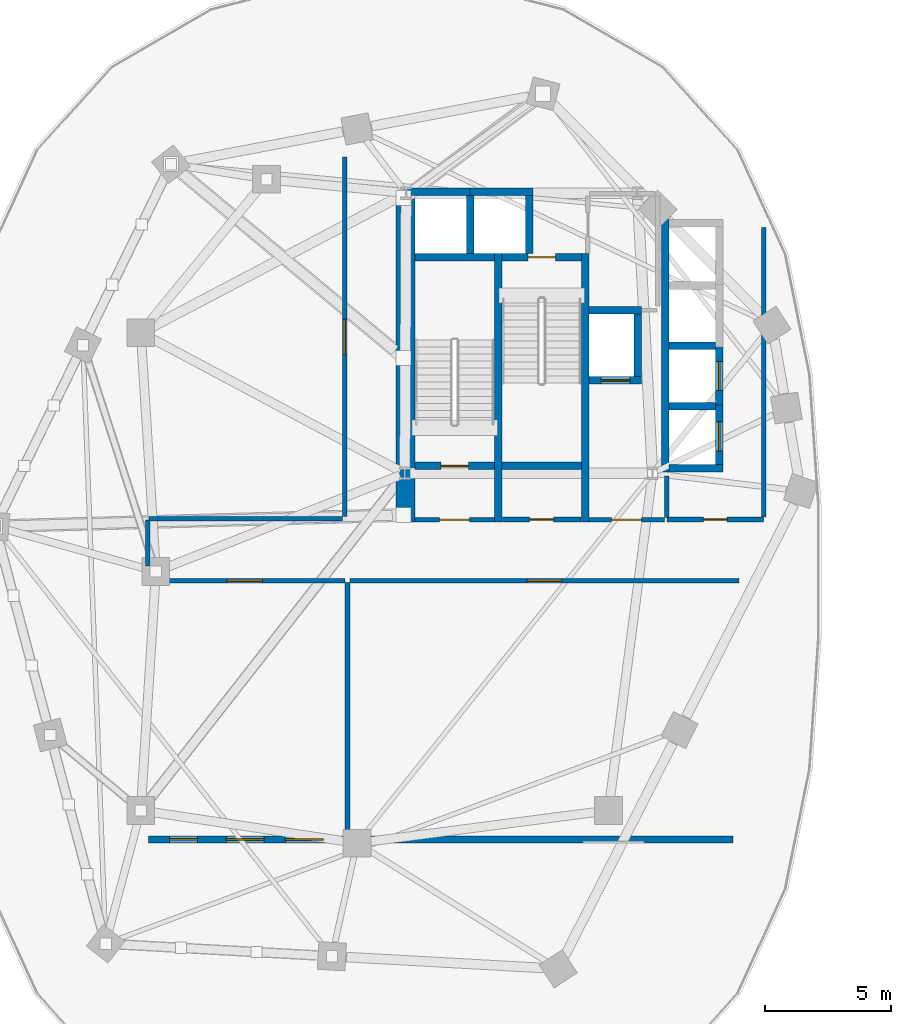
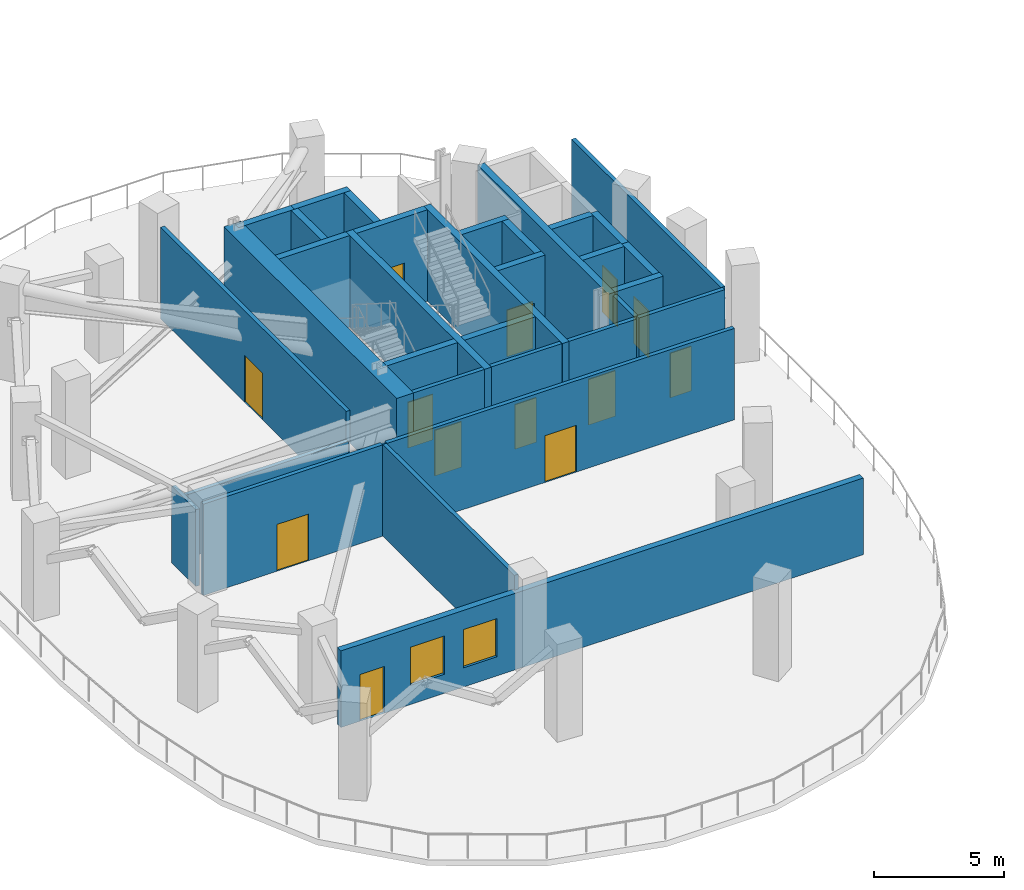
# One storey, part 5 of 13: 33 walls, 13 doors, 2 windows, 15 openings.
"""IFC4 building model written with IfcOpenShell, lengths in metres."""

from ifc_helpers import new_model, si_unit, direction, frame, frame_2d, origin, place, context, subcontext, project, spatial, rectangle, extrude, material, layer, layer_set, type_object, element, fill, save


model = new_model("IFC4")

# Units and contexts
model_context = context("Model", 3, precision=1e-05, world=origin(), true_north=direction((0.0, 1.0)))
body_context = subcontext(model_context, "Body", "Model", "MODEL_VIEW")
ifc_project = project(units=[si_unit("LENGTHUNIT", "METRE"), si_unit("AREAUNIT", "SQUARE_METRE"), si_unit("VOLUMEUNIT", "CUBIC_METRE"), si_unit("PLANEANGLEUNIT", "RADIAN"), si_unit("MASSUNIT", "GRAM", prefix="KILO"), si_unit("THERMODYNAMICTEMPERATUREUNIT", "KELVIN"), si_unit("POWERUNIT", "WATT")], contexts=[model_context])

# Site, building, storey
site_placement = place(None, origin())
site = spatial("IfcSite", under=ifc_project, at=site_placement, CompositionType="ELEMENT")
building_placement = place(site_placement, origin())
building = spatial("IfcBuilding", under=site, at=building_placement, Name="Cundina Bronze Exchange", CompositionType="ELEMENT")
storey_placement = place(building_placement, frame((0.0, 0.0, 77.199951171875)))
storey = spatial("IfcBuildingStorey", under=building, at=storey_placement, Name="L19", CompositionType="ELEMENT", Elevation=77.199951171875)

# Wall
ifc_material_1 = material(Name="Gypsum Fireboard Partition EI120")
ifc_layer_1 = layer(ifc_material_1, 0.179931640625, Name="Gypsum Fireboard Partition EI120")
ifc_layer_set_1 = layer_set([ifc_layer_1], Name="Gypsum Fireboard Partition EI120")
wall_type_1 = type_object("IfcWallType", Name="WL-COR-180", PredefinedType="PARTITIONING", material=ifc_layer_set_1)
wall_1_placement = place(storey_placement, frame((-20.889892578125, 2.14990234375, 0.0), z_axis=(0.0, 0.0, 1.0), x_axis=(0.0, 1.0, 0.0)))
element("IfcWall", 1, at=wall_1_placement, inside=storey, type_object=wall_type_1, Name="L19 W Firefighting Lobby Side Wall", PredefinedType="PARTITIONING", context=body_context, shape_type="SweptSolid", body=[
    extrude(rectangle(XDim=1.650146484375, YDim=0.179931640625, at=frame_2d((0.8251953125, 0.0))), origin(), (0.0, 0.0, 1.0), 4.300048828125),
])

# Wall, opening, door
wall_2_placement = place(storey_placement, frame((-23.97998046875, 2.06005859375, 0.0), z_axis=(0.0, 0.0, 1.0), x_axis=(1.0, 0.0, 0.0)))
wall_2 = element("IfcWall", 2, at=wall_2_placement, inside=storey, type_object=wall_type_1, Name="L19 W Firefighting Lobby Exit Wall", PredefinedType="PARTITIONING", context=body_context, shape_type="SweptSolid", body=[
    extrude(rectangle(XDim=3.0, YDim=0.179931640625, at=frame_2d((1.5, 0.0))), origin(), (0.0, 0.0, 1.0), 4.300048828125),
])
opening_1_placement = place(wall_2_placement, frame((0.89990234375, 0.0, 0.0)))
opening_1 = element("IfcOpeningElement", 3, at=opening_1_placement, cuts=wall_2, Name="Opening DF-01", PredefinedType="OPENING", context=body_context, shape_type="SweptSolid", body=[
    extrude(rectangle(XDim=1.199951171875, YDim=2.14990234375, at=frame_2d((0.60009765625, 1.074951171875))), frame((0.0, 0.099853515625, 0.0), z_axis=(0.0, -1.0, 0.0), x_axis=(1.0, 0.0, 0.0)), (0.0, 0.0, 1.0), 0.199951171875),
])
ifc_material_2 = material(Name="Steel ASTM A36 Painted", Category="steel")
door_type_1 = type_object("IfcDoorType", Name="DR-FFL-1200", OperationType="NOTDEFINED", PredefinedType="DOOR", material=ifc_material_2)
door_1_placement = place(opening_1_placement, origin())
door_1 = element("IfcDoor", 4, at=door_1_placement, inside=storey, type_object=door_type_1, Name="L19 W Firefighting Lobby Door", OperationType="SINGLE_SWING_RIGHT", OverallHeight=2.14990234375, OverallWidth=1.199951171875, PredefinedType="DOOR", context=body_context, shape_type="SweptSolid", body=[
    extrude(rectangle(XDim=1.199951171875, YDim=2.14990234375, at=frame_2d((0.60009765625, 1.074951171875))), frame((0.0, 0.02490234375, 0.0), z_axis=(0.0, -1.0, 0.0), x_axis=(1.0, 0.0, 0.0)), (0.0, 0.0, 1.0), 0.050048828125),
])
fill(opening_1, door_1)

wall_3_placement = place(storey_placement, frame((-30.89990234375, 2.06005859375, 0.0), z_axis=(0.0, 0.0, 1.0), x_axis=(1.0, 0.0, 0.0)))
wall_3 = element("IfcWall", 5, at=wall_3_placement, inside=storey, type_object=wall_type_1, Name="L19 W Stair Vestibule Exit Wall", PredefinedType="PARTITIONING", context=body_context, shape_type="SweptSolid", body=[
    extrude(rectangle(XDim=3.159912109375, YDim=0.179931640625, at=frame_2d((1.580078125, 0.0))), origin(), (0.0, 0.0, 1.0), 4.300048828125),
])
opening_2_placement = place(wall_3_placement, frame((0.97998046875, 0.0, 0.0)))
opening_2 = element("IfcOpeningElement", 6, at=opening_2_placement, cuts=wall_3, Name="Opening DF-01", PredefinedType="OPENING", context=body_context, shape_type="SweptSolid", body=[
    extrude(rectangle(XDim=1.199951171875, YDim=2.14990234375, at=frame_2d((0.60009765625, 1.074951171875))), frame((0.0, 0.099853515625, 0.0), z_axis=(0.0, -1.0, 0.0), x_axis=(1.0, 0.0, 0.0)), (0.0, 0.0, 1.0), 0.199951171875),
])
door_2_placement = place(opening_2_placement, origin())
door_2 = element("IfcDoor", 7, at=door_2_placement, inside=storey, type_object=door_type_1, Name="L19 W Stair Vestibule Door", OperationType="SINGLE_SWING_LEFT", OverallHeight=2.14990234375, OverallWidth=1.199951171875, PredefinedType="DOOR", context=body_context, shape_type="SweptSolid", body=[
    extrude(rectangle(XDim=1.199951171875, YDim=2.14990234375, at=frame_2d((0.60009765625, 1.074951171875))), frame((0.0, 0.02490234375, 0.0), z_axis=(0.0, -1.0, 0.0), x_axis=(1.0, 0.0, 0.0)), (0.0, 0.0, 1.0), 0.050048828125),
])
fill(opening_2, door_2)

# Wall
wall_4_placement = place(storey_placement, frame((-17.02001953125, 2.169921875, 0.0), z_axis=(0.0, 0.0, 1.0), x_axis=(0.0, 1.0, 0.0)))
element("IfcWall", 8, at=wall_4_placement, inside=storey, type_object=wall_type_1, Name="L19 Interior Partition 001", PredefinedType="PARTITIONING", context=body_context, shape_type="SweptSolid", body=[
    extrude(rectangle(XDim=11.510009765625, YDim=0.179931640625, at=frame_2d((5.7548828125, 0.0))), origin(), (0.0, 0.0, 1.0), 4.300048828125),
])

# Wall, opening, door
wall_5_placement = place(storey_placement, frame((-20.8701171875, 2.070068359375, 0.0), z_axis=(0.0, 0.0, 1.0), x_axis=(1.0, 0.0, 0.0)))
wall_5 = element("IfcWall", 9, at=wall_5_placement, inside=storey, type_object=wall_type_1, Name="L19 Interior Partition 002", PredefinedType="PARTITIONING", context=body_context, shape_type="SweptSolid", body=[
    extrude(rectangle(XDim=3.830078125, YDim=0.179931640625, at=frame_2d((1.9150390625, 0.0))), origin(), (0.0, 0.0, 1.0), 4.300048828125),
])
opening_3_placement = place(wall_5_placement, frame((1.43994140625, 0.0, 0.0)))
opening_3 = element("IfcOpeningElement", 10, at=opening_3_placement, cuts=wall_5, Name="Opening DW-01", PredefinedType="OPENING", context=body_context, shape_type="SweptSolid", body=[
    extrude(rectangle(XDim=0.949951171875, YDim=2.10009765625, at=frame_2d((0.47509765625, 1.050048828125))), frame((0.0, 0.099853515625, 0.0), z_axis=(0.0, -1.0, 0.0), x_axis=(1.0, 0.0, 0.0)), (0.0, 0.0, 1.0), 0.199951171875),
])
ifc_material_3 = material(Name="Solid Andean Oak Timber Grade A", Category="wood")
door_type_2 = type_object("IfcDoorType", Name="DR-WC-950", OperationType="NOTDEFINED", PredefinedType="DOOR", material=ifc_material_3)
door_3_placement = place(opening_3_placement, origin())
door_3 = element("IfcDoor", 11, at=door_3_placement, inside=storey, type_object=door_type_2, Name="L19 Interior Door 002", OperationType="SINGLE_SWING_LEFT", OverallHeight=2.10009765625, OverallWidth=0.949951171875, PredefinedType="DOOR", context=body_context, shape_type="SweptSolid", body=[
    extrude(rectangle(XDim=0.949951171875, YDim=2.10009765625, at=frame_2d((0.47509765625, 1.050048828125))), frame((0.0, 0.02490234375, 0.0), z_axis=(0.0, -1.0, 0.0), x_axis=(1.0, 0.0, 0.0)), (0.0, 0.0, 1.0), 0.050048828125),
])
fill(opening_3, door_3)

wall_6_placement = place(storey_placement, frame((-27.419921875, 2.070068359375, 0.0), z_axis=(0.0, 0.0, 1.0), x_axis=(1.0, 0.0, 0.0)))
wall_6 = element("IfcWall", 12, at=wall_6_placement, inside=storey, type_object=wall_type_1, Name="L19 Interior Partition 006", PredefinedType="PARTITIONING", context=body_context, shape_type="SweptSolid", body=[
    extrude(rectangle(XDim=3.119873046875, YDim=0.179931640625, at=frame_2d((1.56005859375, 0.0))), origin(), (0.0, 0.0, 1.0), 4.300048828125),
])
opening_4_placement = place(wall_6_placement, frame((1.0849609375, 0.0, 0.0)))
opening_4 = element("IfcOpeningElement", 13, at=opening_4_placement, cuts=wall_6, Name="Opening DW-01", PredefinedType="OPENING", context=body_context, shape_type="SweptSolid", body=[
    extrude(rectangle(XDim=0.949951171875, YDim=2.10009765625, at=frame_2d((0.47509765625, 1.050048828125))), frame((0.0, 0.099853515625, 0.0), z_axis=(0.0, -1.0, 0.0), x_axis=(1.0, 0.0, 0.0)), (0.0, 0.0, 1.0), 0.199951171875),
])
door_4_placement = place(opening_4_placement, origin())
door_4 = element("IfcDoor", 14, at=door_4_placement, inside=storey, type_object=door_type_2, Name="L19 Interior Door 006", OperationType="SINGLE_SWING_LEFT", OverallHeight=2.10009765625, OverallWidth=0.949951171875, PredefinedType="DOOR", context=body_context, shape_type="SweptSolid", body=[
    extrude(rectangle(XDim=0.949951171875, YDim=2.10009765625, at=frame_2d((0.47509765625, 1.050048828125))), frame((0.0, 0.02490234375, 0.0), z_axis=(0.0, -1.0, 0.0), x_axis=(1.0, 0.0, 0.0)), (0.0, 0.0, 1.0), 0.050048828125),
])
fill(opening_4, door_4)

wall_7_placement = place(storey_placement, frame((-33.47998046875, -0.3701171875, 0.0), z_axis=(0.0, 0.0, 1.0), x_axis=(1.0, 0.0, 0.0)))
wall_7 = element("IfcWall", 15, at=wall_7_placement, inside=storey, type_object=wall_type_1, Name="L19 Interior Partition 008", PredefinedType="PARTITIONING", context=body_context, shape_type="SweptSolid", body=[
    extrude(rectangle(XDim=15.4599609375, YDim=0.179931640625, at=frame_2d((7.72998046875, 0.0))), origin(), (0.0, 0.0, 1.0), 4.300048828125),
])
opening_5_placement = place(wall_7_placement, frame((7.030029296875, 0.0, 0.0)))
opening_5 = element("IfcOpeningElement", 16, at=opening_5_placement, cuts=wall_7, Name="Opening DP-01", PredefinedType="OPENING", context=body_context, shape_type="SweptSolid", body=[
    extrude(rectangle(XDim=1.39990234375, YDim=2.199951171875, at=frame_2d((0.699951171875, 1.10009765625))), frame((0.0, 0.099853515625, 0.0), z_axis=(0.0, -1.0, 0.0), x_axis=(1.0, 0.0, 0.0)), (0.0, 0.0, 1.0), 0.199951171875),
])
door_type_3 = type_object("IfcDoorType", Name="DR-PLT-1400", OperationType="NOTDEFINED", PredefinedType="DOOR", material=ifc_material_2)
door_5_placement = place(opening_5_placement, origin())
door_5 = element("IfcDoor", 17, at=door_5_placement, inside=storey, type_object=door_type_3, Name="L19 Interior Door 008", OperationType="SINGLE_SWING_LEFT", OverallHeight=2.199951171875, OverallWidth=1.39990234375, PredefinedType="DOOR", context=body_context, shape_type="SweptSolid", body=[
    extrude(rectangle(XDim=1.39990234375, YDim=2.199951171875, at=frame_2d((0.699951171875, 1.10009765625))), frame((0.0, 0.02490234375, 0.0), z_axis=(0.0, -1.0, 0.0), x_axis=(1.0, 0.0, 0.0)), (0.0, 0.0, 1.0), 0.050048828125),
])
fill(opening_5, door_5)

wall_8_placement = place(storey_placement, frame((-41.65869140625, -0.3701171875, 0.0), z_axis=(0.0, 0.0, 1.0), x_axis=(1.0, 0.0, 0.0)))
wall_8 = element("IfcWall", 18, at=wall_8_placement, inside=storey, type_object=wall_type_1, Name="L19 Interior Partition 009", PredefinedType="PARTITIONING", context=body_context, shape_type="SweptSolid", body=[
    extrude(rectangle(XDim=7.978759765625, YDim=0.179931640625, at=frame_2d((3.9892578125, 0.0))), origin(), (0.0, 0.0, 1.0), 4.300048828125),
])
opening_6_placement = place(wall_8_placement, frame((3.289306640625, 0.0, 0.0)))
opening_6 = element("IfcOpeningElement", 19, at=opening_6_placement, cuts=wall_8, Name="Opening DP-01", PredefinedType="OPENING", context=body_context, shape_type="SweptSolid", body=[
    extrude(rectangle(XDim=1.39990234375, YDim=2.199951171875, at=frame_2d((0.699951171875, 1.10009765625))), frame((0.0, 0.099853515625, 0.0), z_axis=(0.0, -1.0, 0.0), x_axis=(1.0, 0.0, 0.0)), (0.0, 0.0, 1.0), 0.199951171875),
])
door_6_placement = place(opening_6_placement, origin())
door_6 = element("IfcDoor", 20, at=door_6_placement, inside=storey, type_object=door_type_3, Name="L19 Interior Door 009", OperationType="SINGLE_SWING_LEFT", OverallHeight=2.199951171875, OverallWidth=1.39990234375, PredefinedType="DOOR", context=body_context, shape_type="SweptSolid", body=[
    extrude(rectangle(XDim=1.39990234375, YDim=2.199951171875, at=frame_2d((0.699951171875, 1.10009765625))), frame((0.0, 0.02490234375, 0.0), z_axis=(0.0, -1.0, 0.0), x_axis=(1.0, 0.0, 0.0)), (0.0, 0.0, 1.0), 0.050048828125),
])
fill(opening_6, door_6)

wall_9_placement = place(storey_placement, frame((-33.68994140625, 16.47998046875, 0.0), z_axis=(0.0, 0.0, 1.0), x_axis=(0.0, -1.0, 0.0)))
wall_9 = element("IfcWall", 21, at=wall_9_placement, inside=storey, type_object=wall_type_1, Name="L19 Interior Partition 010", PredefinedType="PARTITIONING", context=body_context, shape_type="SweptSolid", body=[
    extrude(rectangle(XDim=14.300048828125, YDim=0.179931640625, at=frame_2d((7.14990234375, 0.0))), origin(), (0.0, 0.0, 1.0), 4.300048828125),
])
opening_7_placement = place(wall_9_placement, frame((6.449951171875, 0.0, 0.0)))
opening_7 = element("IfcOpeningElement", 22, at=opening_7_placement, cuts=wall_9, Name="Opening DP-01", PredefinedType="OPENING", context=body_context, shape_type="SweptSolid", body=[
    extrude(rectangle(XDim=1.39990234375, YDim=2.199951171875, at=frame_2d((0.699951171875, 1.10009765625))), frame((0.0, 0.099853515625, 0.0), z_axis=(0.0, -1.0, 0.0), x_axis=(1.0, 0.0, 0.0)), (0.0, 0.0, 1.0), 0.199951171875),
])
door_7_placement = place(opening_7_placement, origin())
door_7 = element("IfcDoor", 23, at=door_7_placement, inside=storey, type_object=door_type_3, Name="L19 Interior Door 010", OperationType="SINGLE_SWING_LEFT", OverallHeight=2.199951171875, OverallWidth=1.39990234375, PredefinedType="DOOR", context=body_context, shape_type="SweptSolid", body=[
    extrude(rectangle(XDim=1.39990234375, YDim=2.199951171875, at=frame_2d((0.699951171875, 1.10009765625))), frame((0.0, 0.02490234375, 0.0), z_axis=(0.0, -1.0, 0.0), x_axis=(1.0, 0.0, 0.0)), (0.0, 0.0, 1.0), 0.050048828125),
])
fill(opening_7, door_7)

# Walls
wall_10_placement = place(storey_placement, frame((-33.77001953125, 2.10009765625, 0.0), z_axis=(0.0, 0.0, 1.0), x_axis=(-1.0, 0.0, 0.0)))
element("IfcWall", 24, at=wall_10_placement, inside=storey, type_object=wall_type_1, Name="L19 Interior Partition 011", PredefinedType="PARTITIONING", context=body_context, shape_type="SweptSolid", body=[
    extrude(rectangle(XDim=7.70849609375, YDim=0.179931640625, at=frame_2d((3.854248046875, 0.0))), origin(), (0.0, 0.0, 1.0), 2.9951171875),
])
wall_11_placement = place(storey_placement, frame((-41.52001953125, 2.05859375, 0.0), z_axis=(0.0, 0.0, 1.0), x_axis=(0.0, -1.0, 0.0)))
element("IfcWall", 25, at=wall_11_placement, inside=storey, type_object=wall_type_1, Name="L19 Interior Partition 012", PredefinedType="PARTITIONING", context=body_context, shape_type="SweptSolid", body=[
    extrude(rectangle(XDim=1.838623046875, YDim=0.179931640625, at=frame_2d((0.91943359375, 0.0))), origin(), (0.0, 0.0, 1.0), 3.60498046875),
])
wall_12_placement = place(storey_placement, frame((-33.580078125, -10.60009765625, 0.0), z_axis=(0.0, 0.0, 1.0), x_axis=(0.0, 1.0, 0.0)))
element("IfcWall", 26, at=wall_12_placement, inside=storey, type_object=wall_type_1, Name="L19 Interior Partition 013", PredefinedType="PARTITIONING", context=body_context, shape_type="SweptSolid", body=[
    extrude(rectangle(XDim=10.16015625, YDim=0.179931640625, at=frame_2d((5.080078125, 0.0))), origin(), (0.0, 0.0, 1.0), 4.300048828125),
])
ifc_material_4 = material(Name="Concrete C60/75", Category="concrete")
ifc_layer_2 = layer(ifc_material_4, 0.75, Name="Concrete C60/75", Category="concrete")
ifc_layer_set_2 = layer_set([ifc_layer_2], Name="Concrete C60/75")
wall_type_2 = type_object("IfcWallType", Name="WL-CORE-750", PredefinedType="SHEAR", material=ifc_layer_set_2)
wall_13_placement = place(storey_placement, frame((-31.27490234375, 1.969970703125, 0.0), z_axis=(0.0, 0.0, 1.0), x_axis=(0.0, 1.0, 0.0)))
element("IfcWall", 27, at=wall_13_placement, inside=storey, type_object=wall_type_2, Name="L19 W Primary Core Shear Spine Wall", PredefinedType="SHEAR", context=body_context, shape_type="SweptSolid", body=[
    extrude(rectangle(XDim=13.330078125, YDim=0.75, at=frame_2d((6.6650390625, 0.0))), origin(), (0.0, 0.0, 1.0), 4.300048828125),
])

# Wall, openings, door, windows
ifc_material_5 = material(Name="Precast Concrete C45/55", Category="concrete")
ifc_layer_3 = layer(ifc_material_5, 0.280029296875, Name="Precast Concrete C45/55", Category="concrete")
ifc_layer_set_3 = layer_set([ifc_layer_3], Name="Precast Concrete C45/55")
wall_type_3 = type_object("IfcWallType", Name="WL-EXT-280", PredefinedType="SOLIDWALL", material=ifc_layer_set_3)
wall_14_placement = place(storey_placement, frame((-41.5, -10.64990234375, 0.0), z_axis=(0.0, 0.0, 1.0), x_axis=(1.0, 0.0, 0.0)))
wall_14 = element("IfcWall", 28, at=wall_14_placement, inside=storey, type_object=wall_type_3, Name="L19 Leg W Refuge Veranda Weather Wall", PredefinedType="SOLIDWALL", context=body_context, shape_type="SweptSolid", body=[
    extrude(rectangle(XDim=23.25, YDim=0.280029296875, at=frame_2d((11.625, 0.0))), origin(), (0.0, 0.0, 1.0), 3.60498046875),
])
opening_8_placement = place(wall_14_placement, frame((0.85009765625, 0.0, 0.0)))
opening_8 = element("IfcOpeningElement", 29, at=opening_8_placement, cuts=wall_14, Name="Opening DT-01", PredefinedType="OPENING", context=body_context, shape_type="SweptSolid", body=[
    extrude(rectangle(XDim=1.10009765625, YDim=2.199951171875, at=frame_2d((0.550048828125, 1.10009765625))), frame((0.0, 0.14990234375, 0.0), z_axis=(0.0, -1.0, 0.0), x_axis=(1.0, 0.0, 0.0)), (0.0, 0.0, 1.0), 0.300048828125),
])
opening_9_placement = place(wall_14_placement, frame((3.10009765625, 0.0, 0.89990234375)))
opening_9 = element("IfcOpeningElement", 30, at=opening_9_placement, cuts=wall_14, Name="Opening W-03", PredefinedType="OPENING", context=body_context, shape_type="SweptSolid", body=[
    extrude(rectangle(XDim=1.5, YDim=1.800048828125, at=frame_2d((0.75, 0.89990234375))), frame((0.0, 0.14990234375, 0.0), z_axis=(0.0, -1.0, 0.0), x_axis=(1.0, 0.0, 0.0)), (0.0, 0.0, 1.0), 0.300048828125),
])
opening_10_placement = place(wall_14_placement, frame((5.449951171875, 0.0, 0.89990234375)))
opening_10 = element("IfcOpeningElement", 31, at=opening_10_placement, cuts=wall_14, Name="Opening W-03", PredefinedType="OPENING", context=body_context, shape_type="SweptSolid", body=[
    extrude(rectangle(XDim=1.5, YDim=1.800048828125, at=frame_2d((0.75, 0.89990234375))), frame((0.0, 0.14990234375, 0.0), z_axis=(0.0, -1.0, 0.0), x_axis=(1.0, 0.0, 0.0)), (0.0, 0.0, 1.0), 0.300048828125),
])
ifc_material_6 = material(Name="Anodised Bronze Aluminium 6063-T6", Category="aluminium")
door_type_4 = type_object("IfcDoorType", Name="DR-TER-1100", OperationType="NOTDEFINED", PredefinedType="DOOR", material=ifc_material_6)
door_8_placement = place(opening_8_placement, origin())
door_8 = element("IfcDoor", 32, at=door_8_placement, inside=storey, type_object=door_type_4, Name="L19 Leg W Open Refuge Veranda Door", OperationType="SINGLE_SWING_LEFT", OverallHeight=2.199951171875, OverallWidth=1.10009765625, PredefinedType="DOOR", context=body_context, shape_type="SweptSolid", body=[
    extrude(rectangle(XDim=1.10009765625, YDim=2.199951171875, at=frame_2d((0.550048828125, 1.10009765625))), frame((0.0, 0.02490234375, 0.0), z_axis=(0.0, -1.0, 0.0), x_axis=(1.0, 0.0, 0.0)), (0.0, 0.0, 1.0), 0.050048828125),
])
fill(opening_8, door_8)
ifc_material_7 = material(Name="Heat-Strengthened Solar-Control Bronze Safety Glass 28mm", Category="glass")
window_type = type_object("IfcWindowType", Name="WN-REF-1500", PartitioningType="SINGLE_PANEL", PredefinedType="WINDOW", material=ifc_material_7)
window_1_placement = place(opening_9_placement, origin())
window_1 = element("IfcWindow", 33, at=window_1_placement, inside=storey, type_object=window_type, Name="L19 Leg W Refuge Plant Window 1", OverallHeight=1.800048828125, OverallWidth=1.5, PartitioningType="SINGLE_PANEL", PredefinedType="WINDOW", context=body_context, shape_type="SweptSolid", body=[
    extrude(rectangle(XDim=1.5, YDim=1.800048828125, at=frame_2d((0.75, 0.89990234375))), frame((0.0, 0.030029296875, 0.0), z_axis=(0.0, -1.0, 0.0), x_axis=(1.0, 0.0, 0.0)), (0.0, 0.0, 1.0), 0.06005859375),
])
fill(opening_9, window_1)
window_2_placement = place(opening_10_placement, origin())
window_2 = element("IfcWindow", 34, at=window_2_placement, inside=storey, type_object=window_type, Name="L19 Leg W Refuge Plant Window 2", OverallHeight=1.800048828125, OverallWidth=1.5, PartitioningType="SINGLE_PANEL", PredefinedType="WINDOW", context=body_context, shape_type="SweptSolid", body=[
    extrude(rectangle(XDim=1.5, YDim=1.800048828125, at=frame_2d((0.75, 0.89990234375))), frame((0.0, 0.030029296875, 0.0), z_axis=(0.0, -1.0, 0.0), x_axis=(1.0, 0.0, 0.0)), (0.0, 0.0, 1.0), 0.06005859375),
])
fill(opening_10, window_2)

# Walls
ifc_material_8 = material(Name="Concrete C50/60", Category="concrete")
ifc_layer_4 = layer(ifc_material_8, 0.300048828125, Name="Concrete C50/60", Category="concrete")
ifc_layer_set_4 = layer_set([ifc_layer_4], Name="Concrete C50/60")
wall_type_4 = type_object("IfcWallType", Name="WL-SHFT-300", PredefinedType="SHEAR", material=ifc_layer_set_4)
for number, where, z_axis, x_axis, name in (
    (35, (-27.590087890625, 1.969970703125, 0.0), (0.0, 0.0, 1.0), (0.0, 1.0, 0.0), "L19 W Stair Shaft Dividing Shear Wall"),
    (36, (-24.1298828125, 1.969970703125, 0.0), (0.0, 0.0, 1.0), (0.0, 1.0, 0.0), "L19 W Stair 2 East Shear Wall"),
):
    element("IfcWall", number, at=place(storey_placement, frame(where, z_axis=z_axis, x_axis=x_axis)), inside=storey, type_object=wall_type_4, Name=name, PredefinedType="SHEAR", context=body_context, shape_type="SweptSolid", body=[
        extrude(rectangle(XDim=10.679931640625, YDim=0.300048828125, at=frame_2d((5.33984375, 0.0))), origin(), (0.0, 0.0, 1.0), 4.300048828125),
    ])

# Wall, opening, door
wall_15_placement = place(storey_placement, frame((-30.89990234375, 4.199951171875, 0.0), z_axis=(0.0, 0.0, 1.0), x_axis=(1.0, 0.0, 0.0)))
wall_15 = element("IfcWall", 37, at=wall_15_placement, inside=storey, type_object=wall_type_4, Name="L19 Stair W1 Landing Wall", PredefinedType="SHEAR", context=body_context, shape_type="SweptSolid", body=[
    extrude(rectangle(XDim=3.159912109375, YDim=0.300048828125, at=frame_2d((1.580078125, 0.0))), origin(), (0.0, 0.0, 1.0), 4.300048828125),
])
opening_11_placement = place(wall_15_placement, frame((1.030029296875, 0.0, 0.0)))
opening_11 = element("IfcOpeningElement", 38, at=opening_11_placement, cuts=wall_15, Name="Opening DS-01", PredefinedType="OPENING", context=body_context, shape_type="SweptSolid", body=[
    extrude(rectangle(XDim=1.10009765625, YDim=2.14990234375, at=frame_2d((0.550048828125, 1.074951171875))), frame((0.0, 0.159912109375, 0.0), z_axis=(0.0, -1.0, 0.0), x_axis=(1.0, 0.0, 0.0)), (0.0, 0.0, 1.0), 0.320068359375),
])
door_type_5 = type_object("IfcDoorType", Name="DR-STR-1100", OperationType="NOTDEFINED", PredefinedType="DOOR", material=ifc_material_2)
door_9_placement = place(opening_11_placement, origin())
door_9 = element("IfcDoor", 39, at=door_9_placement, inside=storey, type_object=door_type_5, Name="L19 Smokeproof Stair W1 Door", OperationType="SINGLE_SWING_RIGHT", OverallHeight=2.14990234375, OverallWidth=1.10009765625, PredefinedType="DOOR", context=body_context, shape_type="SweptSolid", body=[
    extrude(rectangle(XDim=1.10009765625, YDim=2.14990234375, at=frame_2d((0.550048828125, 1.074951171875))), frame((0.0, 0.02490234375, 0.0), z_axis=(0.0, -1.0, 0.0), x_axis=(1.0, 0.0, 0.0)), (0.0, 0.0, 1.0), 0.050048828125),
])
fill(opening_11, door_9)

# Wall
wall_16_placement = place(storey_placement, frame((-30.89990234375, 12.5, 0.0), z_axis=(0.0, 0.0, 1.0), x_axis=(1.0, 0.0, 0.0)))
element("IfcWall", 40, at=wall_16_placement, inside=storey, type_object=wall_type_4, Name="L19 Stair W1 Far Shaft Wall", PredefinedType="SHEAR", context=body_context, shape_type="SweptSolid", body=[
    extrude(rectangle(XDim=3.159912109375, YDim=0.300048828125, at=frame_2d((1.580078125, 0.0))), origin(), (0.0, 0.0, 1.0), 4.300048828125),
])

# Wall, opening, door
wall_17_placement = place(storey_placement, frame((-27.43994140625, 12.5, 0.0), z_axis=(0.0, 0.0, 1.0), x_axis=(1.0, 0.0, 0.0)))
wall_17 = element("IfcWall", 41, at=wall_17_placement, inside=storey, type_object=wall_type_4, Name="L19 Stair W2 Landing Wall", PredefinedType="SHEAR", context=body_context, shape_type="SweptSolid", body=[
    extrude(rectangle(XDim=3.159912109375, YDim=0.300048828125, at=frame_2d((1.580078125, 0.0))), origin(), (0.0, 0.0, 1.0), 4.300048828125),
])
opening_12_placement = place(wall_17_placement, frame((1.030029296875, 0.0, 0.0)))
opening_12 = element("IfcOpeningElement", 42, at=opening_12_placement, cuts=wall_17, Name="Opening DS-01", PredefinedType="OPENING", context=body_context, shape_type="SweptSolid", body=[
    extrude(rectangle(XDim=1.10009765625, YDim=2.14990234375, at=frame_2d((0.550048828125, 1.074951171875))), frame((0.0, 0.159912109375, 0.0), z_axis=(0.0, -1.0, 0.0), x_axis=(1.0, 0.0, 0.0)), (0.0, 0.0, 1.0), 0.320068359375),
])
door_10_placement = place(opening_12_placement, origin())
door_10 = element("IfcDoor", 43, at=door_10_placement, inside=storey, type_object=door_type_5, Name="L19 Smokeproof Stair W2 Door", OperationType="SINGLE_SWING_LEFT", OverallHeight=2.14990234375, OverallWidth=1.10009765625, PredefinedType="DOOR", context=body_context, shape_type="SweptSolid", body=[
    extrude(rectangle(XDim=1.10009765625, YDim=2.14990234375, at=frame_2d((0.550048828125, 1.074951171875))), frame((0.0, 0.02490234375, 0.0), z_axis=(0.0, -1.0, 0.0), x_axis=(1.0, 0.0, 0.0)), (0.0, 0.0, 1.0), 0.050048828125),
])
fill(opening_12, door_10)

# Wall
wall_18_placement = place(storey_placement, frame((-27.43994140625, 4.199951171875, 0.0), z_axis=(0.0, 0.0, 1.0), x_axis=(1.0, 0.0, 0.0)))
element("IfcWall", 44, at=wall_18_placement, inside=storey, type_object=wall_type_4, Name="L19 Stair W2 Far Shaft Wall", PredefinedType="SHEAR", context=body_context, shape_type="SweptSolid", body=[
    extrude(rectangle(XDim=3.159912109375, YDim=0.300048828125, at=frame_2d((1.580078125, 0.0))), origin(), (0.0, 0.0, 1.0), 4.300048828125),
])

# Wall, opening, door
wall_19_placement = place(storey_placement, frame((-23.97998046875, 7.60009765625, 0.0), z_axis=(0.0, 0.0, 1.0), x_axis=(1.0, 0.0, 0.0)))
wall_19 = element("IfcWall", 45, at=wall_19_placement, inside=storey, type_object=wall_type_4, Name="L19 FFL-W Hoistway Front Wall", PredefinedType="SHEAR", context=body_context, shape_type="SweptSolid", body=[
    extrude(rectangle(XDim=2.10009765625, YDim=0.300048828125, at=frame_2d((1.050048828125, 0.0))), origin(), (0.0, 0.0, 1.0), 4.300048828125),
])
opening_13_placement = place(wall_19_placement, frame((0.47509765625, 0.0, 0.0)))
opening_13 = element("IfcOpeningElement", 46, at=opening_13_placement, cuts=wall_19, Name="Opening LD-01", PredefinedType="OPENING", context=body_context, shape_type="SweptSolid", body=[
    extrude(rectangle(XDim=1.14990234375, YDim=2.199951171875, at=frame_2d((0.574951171875, 1.10009765625))), frame((0.0, 0.159912109375, 0.0), z_axis=(0.0, -1.0, 0.0), x_axis=(1.0, 0.0, 0.0)), (0.0, 0.0, 1.0), 0.320068359375),
])
door_type_6 = type_object("IfcDoorType", Name="DR-LND-1150", OperationType="NOTDEFINED", PredefinedType="TRAPDOOR", material=ifc_material_2)
door_11_placement = place(opening_13_placement, origin())
door_11 = element("IfcDoor", 47, at=door_11_placement, inside=storey, type_object=door_type_6, Name="L19 FFL-W Sliding Landing Door", OperationType="SLIDING_TO_LEFT", OverallHeight=2.199951171875, OverallWidth=1.14990234375, PredefinedType="TRAPDOOR", context=body_context, shape_type="SweptSolid", body=[
    extrude(rectangle(XDim=1.14990234375, YDim=2.199951171875, at=frame_2d((0.574951171875, 1.10009765625))), frame((0.0, 0.02490234375, 0.0), z_axis=(0.0, -1.0, 0.0), x_axis=(1.0, 0.0, 0.0)), (0.0, 0.0, 1.0), 0.050048828125),
])
fill(opening_13, door_11)

# Walls
wall_20_placement = place(storey_placement, frame((-23.97998046875, 10.39990234375, 0.0), z_axis=(0.0, 0.0, 1.0), x_axis=(1.0, 0.0, 0.0)))
element("IfcWall", 48, at=wall_20_placement, inside=storey, type_object=wall_type_4, Name="L19 FFL-W Hoistway Back Wall", PredefinedType="SHEAR", context=body_context, shape_type="SweptSolid", body=[
    extrude(rectangle(XDim=2.10009765625, YDim=0.300048828125, at=frame_2d((1.050048828125, 0.0))), origin(), (0.0, 0.0, 1.0), 4.300048828125),
])
for number, where, z_axis, x_axis, name in (
    (49, (-22.030029296875, 7.75, 0.0), (0.0, 0.0, 1.0), (0.0, 1.0, 0.0), "L19 FFL-W Hoistway Side Wall"),
    (50, (-31.199951171875, 15.10009765625, 0.0), (0.0, 0.0, 1.0), (1.0, 0.0, 0.0), "L19 PH-W1 Hoistway Front Wall"),
):
    element("IfcWall", number, at=place(storey_placement, frame(where, z_axis=z_axis, x_axis=x_axis)), inside=storey, type_object=wall_type_4, Name=name, PredefinedType="SHEAR", context=body_context, shape_type="SweptSolid", body=[
        extrude(rectangle(XDim=2.5, YDim=0.300048828125, at=frame_2d((1.25, 0.0))), origin(), (0.0, 0.0, 1.0), 4.300048828125),
    ])
wall_21_placement = place(storey_placement, frame((-28.699951171875, 12.64990234375, 0.0), z_axis=(0.0, 0.0, 1.0), x_axis=(0.0, 1.0, 0.0)))
element("IfcWall", 51, at=wall_21_placement, inside=storey, type_object=wall_type_4, Name="L19 PH-W1 Hoistway Divider Wall", PredefinedType="SHEAR", context=body_context, shape_type="SweptSolid", body=[
    extrude(rectangle(XDim=2.300048828125, YDim=0.300048828125, at=frame_2d((1.14990234375, 0.0))), origin(), (0.0, 0.0, 1.0), 4.300048828125),
])
wall_22_placement = place(storey_placement, frame((-28.699951171875, 15.10009765625, 0.0), z_axis=(0.0, 0.0, 1.0), x_axis=(1.0, 0.0, 0.0)))
element("IfcWall", 52, at=wall_22_placement, inside=storey, type_object=wall_type_4, Name="L19 PH-W2 Hoistway Front Wall", PredefinedType="SHEAR", context=body_context, shape_type="SweptSolid", body=[
    extrude(rectangle(XDim=2.5, YDim=0.300048828125, at=frame_2d((1.25, 0.0))), origin(), (0.0, 0.0, 1.0), 4.300048828125),
])
wall_23_placement = place(storey_placement, frame((-26.35009765625, 12.64990234375, 0.0), z_axis=(0.0, 0.0, 1.0), x_axis=(0.0, 1.0, 0.0)))
element("IfcWall", 53, at=wall_23_placement, inside=storey, type_object=wall_type_4, Name="L19 PH-W2 Hoistway Divider Wall", PredefinedType="SHEAR", context=body_context, shape_type="SweptSolid", body=[
    extrude(rectangle(XDim=2.300048828125, YDim=0.300048828125, at=frame_2d((1.14990234375, 0.0))), origin(), (0.0, 0.0, 1.0), 4.300048828125),
])
wall_24_placement = place(storey_placement, frame((-20.949951171875, 3.949951171875, 0.0), z_axis=(0.0, 0.0, 1.0), x_axis=(0.0, 1.0, 0.0)))
element("IfcWall", 54, at=wall_24_placement, inside=storey, type_object=wall_type_4, Name="L19 W Passenger Bank Hoistway Back Wall", PredefinedType="SHEAR", context=body_context, shape_type="SweptSolid", body=[
    extrude(rectangle(XDim=10.050048828125, YDim=0.300048828125, at=frame_2d((5.02490234375, 0.0))), origin(), (0.0, 0.0, 1.0), 4.300048828125),
])
wall_25_placement = place(storey_placement, frame((-20.800048828125, 4.10009765625, 0.0), z_axis=(0.0, 0.0, 1.0), x_axis=(1.0, 0.0, 0.0)))
element("IfcWall", 55, at=wall_25_placement, inside=storey, type_object=wall_type_4, Name="L19 W Passenger Bank South Cap Wall", PredefinedType="SHEAR", context=body_context, shape_type="SweptSolid", body=[
    extrude(rectangle(XDim=2.150146484375, YDim=0.300048828125, at=frame_2d((1.0751953125, 0.0))), origin(), (0.0, 0.0, 1.0), 4.300048828125),
])
for number, where, z_axis, x_axis, name in (
    (56, (-20.800048828125, 6.574951171875, 0.0), (0.0, 0.0, 1.0), (1.0, 0.0, 0.0), "L19 W Passenger Hoistway Divider 1"),
    (57, (-20.800048828125, 8.97509765625, 0.0), (0.0, 0.0, 1.0), (1.0, 0.0, 0.0), "L19 W Passenger Hoistway Divider 2"),
):
    element("IfcWall", number, at=place(storey_placement, frame(where, z_axis=z_axis, x_axis=x_axis)), inside=storey, type_object=wall_type_4, Name=name, PredefinedType="SHEAR", context=body_context, shape_type="SweptSolid", body=[
        extrude(rectangle(XDim=1.85009765625, YDim=0.300048828125, at=frame_2d((0.925048828125, 0.0))), origin(), (0.0, 0.0, 1.0), 4.300048828125),
    ])

# Wall, opening, door
wall_26_placement = place(storey_placement, frame((-18.800048828125, 4.1298828125, 0.0), z_axis=(0.0, 0.0, 1.0), x_axis=(0.0, 1.0, 0.0)))
wall_26 = element("IfcWall", 58, at=wall_26_placement, inside=storey, type_object=wall_type_4, Name="L19 PL-W2 Hoistway Front Wall", PredefinedType="SHEAR", context=body_context, shape_type="SweptSolid", body=[
    extrude(rectangle(XDim=2.490234375, YDim=0.300048828125, at=frame_2d((1.2451171875, 0.0))), origin(), (0.0, 0.0, 1.0), 4.300048828125),
])
opening_14_placement = place(wall_26_placement, frame((0.669921875, 0.0, 0.0)))
opening_14 = element("IfcOpeningElement", 59, at=opening_14_placement, cuts=wall_26, Name="Opening LD-01", PredefinedType="OPENING", context=body_context, shape_type="SweptSolid", body=[
    extrude(rectangle(XDim=1.14990234375, YDim=2.199951171875, at=frame_2d((0.574951171875, 1.10009765625))), frame((0.0, 0.159912109375, 0.0), z_axis=(0.0, -1.0, 0.0), x_axis=(1.0, 0.0, 0.0)), (0.0, 0.0, 1.0), 0.320068359375),
])
door_12_placement = place(opening_14_placement, origin())
door_12 = element("IfcDoor", 60, at=door_12_placement, inside=storey, type_object=door_type_6, Name="L19 PL-W2 Sliding Landing Door", OperationType="SLIDING_TO_LEFT", OverallHeight=2.199951171875, OverallWidth=1.14990234375, PredefinedType="TRAPDOOR", context=body_context, shape_type="SweptSolid", body=[
    extrude(rectangle(XDim=1.14990234375, YDim=2.199951171875, at=frame_2d((0.574951171875, 1.10009765625))), frame((0.0, 0.02490234375, 0.0), z_axis=(0.0, -1.0, 0.0), x_axis=(1.0, 0.0, 0.0)), (0.0, 0.0, 1.0), 0.050048828125),
])
fill(opening_14, door_12)

wall_27_placement = place(storey_placement, frame((-18.800048828125, 6.530029296875, 0.0), z_axis=(0.0, 0.0, 1.0), x_axis=(0.0, 1.0, 0.0)))
wall_27 = element("IfcWall", 61, at=wall_27_placement, inside=storey, type_object=wall_type_4, Name="L19 PL-W1 Hoistway Front Wall", PredefinedType="SHEAR", context=body_context, shape_type="SweptSolid", body=[
    extrude(rectangle(XDim=2.489990234375, YDim=0.300048828125, at=frame_2d((1.2451171875, 0.0))), origin(), (0.0, 0.0, 1.0), 4.300048828125),
])
opening_15_placement = place(wall_27_placement, frame((0.669921875, 0.0, 0.0)))
opening_15 = element("IfcOpeningElement", 62, at=opening_15_placement, cuts=wall_27, Name="Opening LD-01", PredefinedType="OPENING", context=body_context, shape_type="SweptSolid", body=[
    extrude(rectangle(XDim=1.14990234375, YDim=2.199951171875, at=frame_2d((0.574951171875, 1.10009765625))), frame((0.0, 0.159912109375, 0.0), z_axis=(0.0, -1.0, 0.0), x_axis=(1.0, 0.0, 0.0)), (0.0, 0.0, 1.0), 0.320068359375),
])
door_13_placement = place(opening_15_placement, origin())
door_13 = element("IfcDoor", 63, at=door_13_placement, inside=storey, type_object=door_type_6, Name="L19 PL-W1 Sliding Landing Door", OperationType="SLIDING_TO_LEFT", OverallHeight=2.199951171875, OverallWidth=1.14990234375, PredefinedType="TRAPDOOR", context=body_context, shape_type="SweptSolid", body=[
    extrude(rectangle(XDim=1.14990234375, YDim=2.199951171875, at=frame_2d((0.574951171875, 1.10009765625))), frame((0.0, 0.02490234375, 0.0), z_axis=(0.0, -1.0, 0.0), x_axis=(1.0, 0.0, 0.0)), (0.0, 0.0, 1.0), 0.050048828125),
])
fill(opening_15, door_13)

save(model, "model.ifc")
